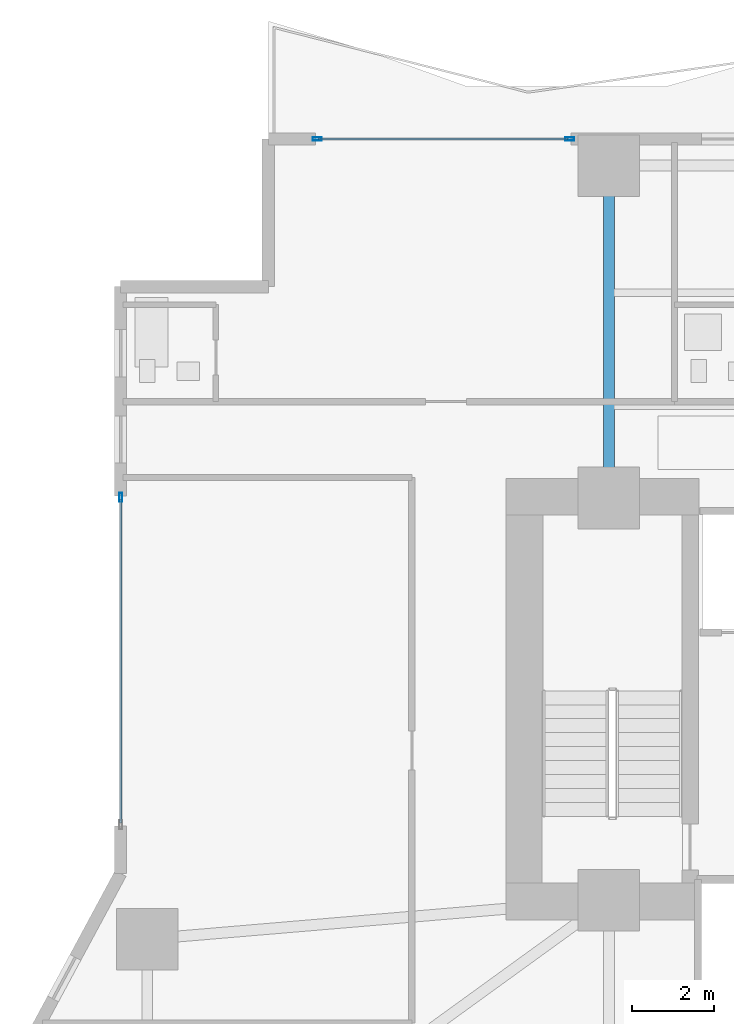
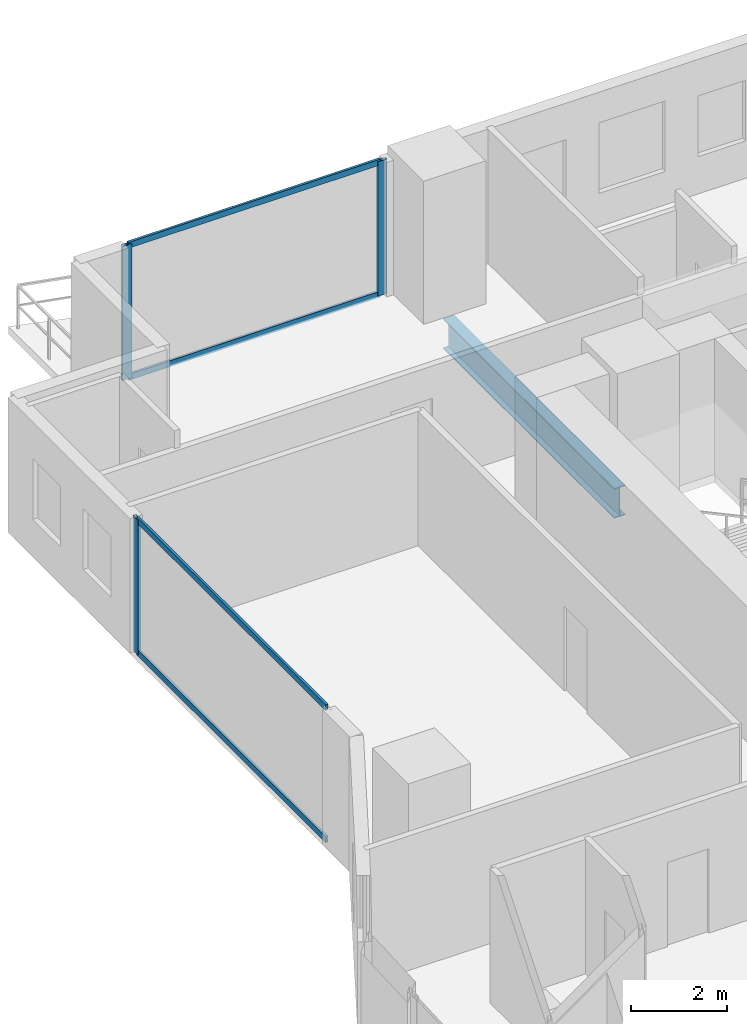
# One storey, part 13 of 28: 7 members, 1 beam, 2 elements without a shape of their own.
"""IFC4 building model written with IfcOpenShell, lengths in metres."""

from ifc_helpers import new_model, si_unit, direction, frame, origin, origin_2d, place, context, subcontext, project, spatial, hollow_rectangle, i_section, extrude, material, layer, layer_set, material_profile, profile_set, type_object, element, aggregate, save


model = new_model("IFC4")

# Units and contexts
model_context = context("Model", 3, precision=1e-05, world=origin(), true_north=direction((0.0, 1.0)))
body_context = subcontext(model_context, "Body", "Model", "MODEL_VIEW")
ifc_project = project(units=[si_unit("LENGTHUNIT", "METRE"), si_unit("AREAUNIT", "SQUARE_METRE"), si_unit("VOLUMEUNIT", "CUBIC_METRE"), si_unit("PLANEANGLEUNIT", "RADIAN"), si_unit("MASSUNIT", "GRAM", prefix="KILO")], contexts=[model_context])

# Site, building, storey
site_placement = place(None, origin())
site = spatial("IfcSite", under=ifc_project, at=site_placement, CompositionType="ELEMENT")
building_placement = place(site_placement, origin())
building = spatial("IfcBuilding", under=site, at=building_placement, Name="Zuhayl Quay Hotel", CompositionType="ELEMENT")
storey_placement = place(building_placement, frame((0.0, 0.0, 49.5)))
storey = spatial("IfcBuildingStorey", under=building, at=storey_placement, Name="L11", CompositionType="ELEMENT", Elevation=49.5)

# Beam
ifc_material_1 = material(Name="Steel ASTM A992 Grade 50", Category="steel")
ifc_material_profile_1 = material_profile(ifc_material_1, i_section(OverallWidth=0.26708984375, OverallDepth=0.761962890625, WebThickness=0.014404296875, FlangeThickness=0.021484375, at=origin_2d()), Name="W30X116")
ifc_profile_set_1 = profile_set([ifc_material_profile_1], Name="Steel ASTM A992 Grade 50")
beam_type = type_object("IfcBeamType", Name="BM_B1_W30X116", PredefinedType="BEAM", material=ifc_profile_set_1)
beam_placement = place(storey_placement, frame((-13.800048828125, 14.800048828125, -0.60107421875), z_axis=(0.0, 1.0, 0.0), x_axis=(-1.0, 0.0, 0.0)))
element("IfcBeam", 1, at=beam_placement, inside=storey, type_object=beam_type, Name="L11 Floor Beam FG_N_L11_1", PredefinedType="BEAM", context=body_context, shape_type="SweptSolid", body=[
    extrude(i_section(OverallWidth=0.26708984375, OverallDepth=0.761962890625, WebThickness=0.014404296875, FlangeThickness=0.021484375, at=origin_2d()), origin(), (0.0, 0.0, 1.0), 7.14990234375),
])

# Curtain wall, member
ifc_material_2 = material(Name="Anodised Aluminium 6063-T6", Category="aluminium")
ifc_layer = layer(ifc_material_2, 0.18994140625, Name="Anodised Aluminium 6063-T6", Category="aluminium")
ifc_layer_set = layer_set([ifc_layer], Name="Anodised Aluminium 6063-T6")
curtain_wall_type = type_object("IfcCurtainWallType", Name="CW_SYS_Z1", PredefinedType="USERDEFINED", material=ifc_layer_set)
curtain_wall_1_placement = place(storey_placement, origin())
curtain_wall_1 = element("IfcCurtainWall", 2, at=curtain_wall_1_placement, inside=storey, type_object=curtain_wall_type, Name="L11 Curtain Wall ENV_L11_E05_CW1", ObjectType="UNITISED CURTAIN WALL", PredefinedType="USERDEFINED")
ifc_material_3 = material(Name="Black-anodised aluminium 6063-T6", Category="aluminium")
ifc_material_profile_2 = material_profile(ifc_material_3, hollow_rectangle(XDim=0.074951171875, YDim=0.219970703125, WallThickness=0.00390625, at=origin_2d()), Name="ALU220X75")
ifc_profile_set_2 = profile_set([ifc_material_profile_2], Name="Black-anodised aluminium 6063-T6")
member_type_1 = type_object("IfcMemberType", Name="MB_CW_MUL_220", PredefinedType="MULLION", material=ifc_profile_set_2)
member_1_placement = place(storey_placement, frame((-25.699951171875, 14.362548828125, 0.0), z_axis=(0.0, 0.0, 1.0), x_axis=(-1.0, 0.0, 0.0)))
member_1 = element("IfcMember", 3, at=member_1_placement, type_object=member_type_1, Name="CW-Z1 mullion 2", PredefinedType="MULLION", context=body_context, shape_type="SweptSolid", body=[
    extrude(hollow_rectangle(XDim=0.074951171875, YDim=0.219970703125, WallThickness=0.00390625, at=origin_2d()), origin(), (0.0, 0.0, 1.0), 3.429931640625),
])

# Curtain wall, members
curtain_wall_2_placement = place(storey_placement, origin())
curtain_wall_2 = element("IfcCurtainWall", 4, at=curtain_wall_2_placement, inside=storey, type_object=curtain_wall_type, Name="L11 Curtain Wall ENV_L11_N_CW1", ObjectType="UNITISED CURTAIN WALL", PredefinedType="USERDEFINED")
member_2_placement = place(storey_placement, frame((-20.91259765625, 23.10009765625, 0.0), z_axis=(0.0, 0.0, 1.0), x_axis=(0.0, 1.0, 0.0)))
member_2 = element("IfcMember", 5, at=member_2_placement, type_object=member_type_1, Name="CW-Z1 mullion 1", PredefinedType="MULLION", context=body_context, shape_type="SweptSolid", body=[
    extrude(hollow_rectangle(XDim=0.074951171875, YDim=0.219970703125, WallThickness=0.00390625, at=origin_2d()), origin(), (0.0, 0.0, 1.0), 3.429931640625),
])
member_3_placement = place(storey_placement, frame((-14.757568359375, 23.10009765625, 0.0), z_axis=(0.0, 0.0, 1.0), x_axis=(0.0, 1.0, 0.0)))
member_3 = element("IfcMember", 6, at=member_3_placement, type_object=member_type_1, Name="CW-Z1 mullion 2", PredefinedType="MULLION", context=body_context, shape_type="SweptSolid", body=[
    extrude(hollow_rectangle(XDim=0.074951171875, YDim=0.219970703125, WallThickness=0.00390625, at=origin_2d()), origin(), (0.0, 0.0, 1.0), 3.429931640625),
])

# Member
ifc_material_profile_3 = material_profile(ifc_material_3, hollow_rectangle(XDim=0.06005859375, YDim=0.14990234375, WallThickness=0.00341796875, at=origin_2d()), Name="ALU150X60")
ifc_profile_set_3 = profile_set([ifc_material_profile_3], Name="Black-anodised aluminium 6063-T6")
member_type_2 = type_object("IfcMemberType", Name="MB_CW_TRN_150", PredefinedType="USERDEFINED", material=ifc_profile_set_3)
member_4_placement = place(storey_placement, frame((-25.699951171875, 6.425048828125, 0.030029296875), z_axis=(0.0, 1.0, 0.0), x_axis=(-1.0, 0.0, 0.0)))
member_4 = element("IfcMember", 7, at=member_4_placement, type_object=member_type_2, Name="CW-Z1 transom 1.1", ObjectType="TRANSOM", PredefinedType="USERDEFINED", context=body_context, shape_type="SweptSolid", body=[
    extrude(hollow_rectangle(XDim=0.06005859375, YDim=0.14990234375, WallThickness=0.00341796875, at=origin_2d()), origin(), (0.0, 0.0, 1.0), 7.89990234375),
])

member_5_placement = place(storey_placement, frame((-25.699951171875, 6.425048828125, 3.39990234375), z_axis=(0.0, 1.0, 0.0), x_axis=(-1.0, 0.0, 0.0)))
member_5 = element("IfcMember", 8, at=member_5_placement, type_object=member_type_2, Name="CW-Z1 transom 1.2", ObjectType="TRANSOM", PredefinedType="USERDEFINED", context=body_context, shape_type="SweptSolid", body=[
    extrude(hollow_rectangle(XDim=0.06005859375, YDim=0.14990234375, WallThickness=0.00341796875, at=origin_2d()), origin(), (0.0, 0.0, 1.0), 7.89990234375),
])

aggregate(curtain_wall_1, [member_1, member_4, member_5])

member_6_placement = place(storey_placement, frame((-20.875, 23.10009765625, 0.030029296875), z_axis=(1.0, 0.0, 0.0), x_axis=(0.0, 1.0, 0.0)))
member_6 = element("IfcMember", 9, at=member_6_placement, type_object=member_type_2, Name="CW-Z1 transom 1.1", ObjectType="TRANSOM", PredefinedType="USERDEFINED", context=body_context, shape_type="SweptSolid", body=[
    extrude(hollow_rectangle(XDim=0.06005859375, YDim=0.14990234375, WallThickness=0.00341796875, at=origin_2d()), origin(), (0.0, 0.0, 1.0), 6.080078125),
])

member_7_placement = place(storey_placement, frame((-20.875, 23.10009765625, 3.39990234375), z_axis=(1.0, 0.0, 0.0), x_axis=(0.0, 1.0, 0.0)))
member_7 = element("IfcMember", 10, at=member_7_placement, type_object=member_type_2, Name="CW-Z1 transom 1.2", ObjectType="TRANSOM", PredefinedType="USERDEFINED", context=body_context, shape_type="SweptSolid", body=[
    extrude(hollow_rectangle(XDim=0.06005859375, YDim=0.14990234375, WallThickness=0.00341796875, at=origin_2d()), origin(), (0.0, 0.0, 1.0), 6.080078125),
])

aggregate(curtain_wall_2, [member_2, member_3, member_6, member_7])

save(model, "model.ifc")
